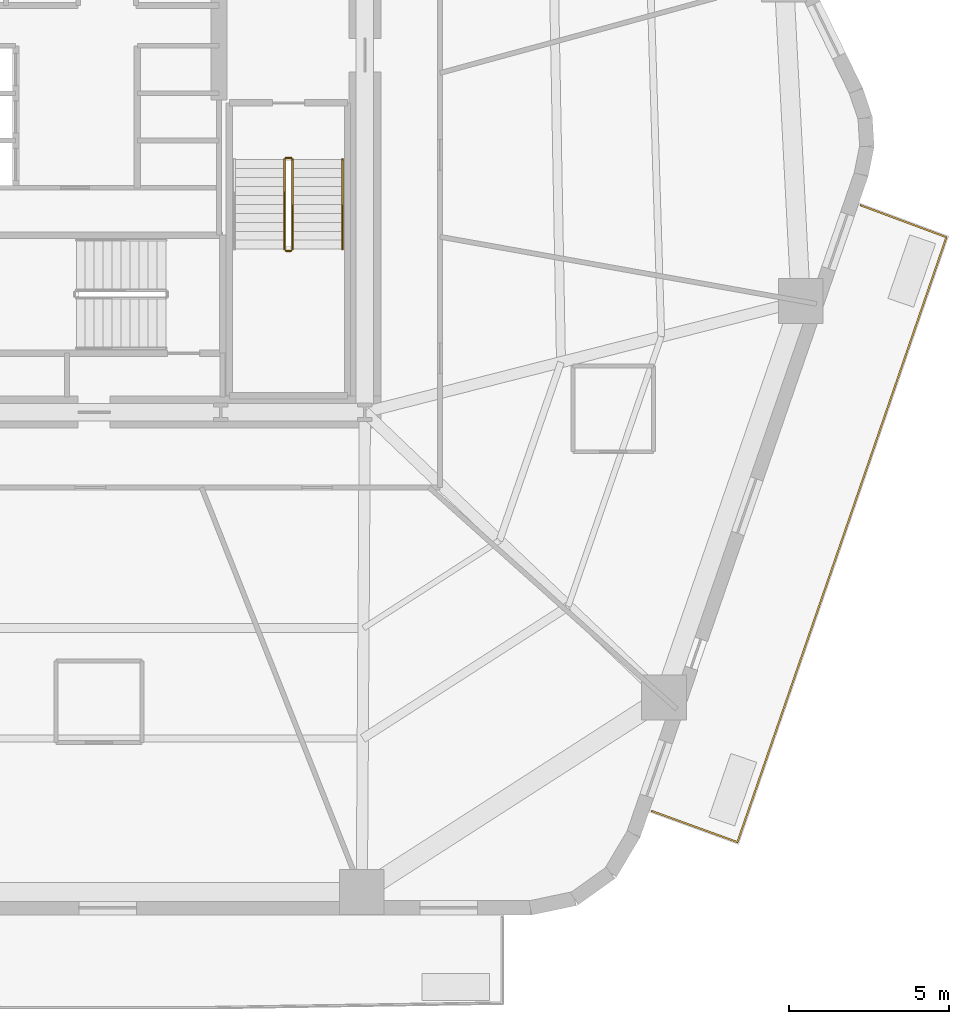
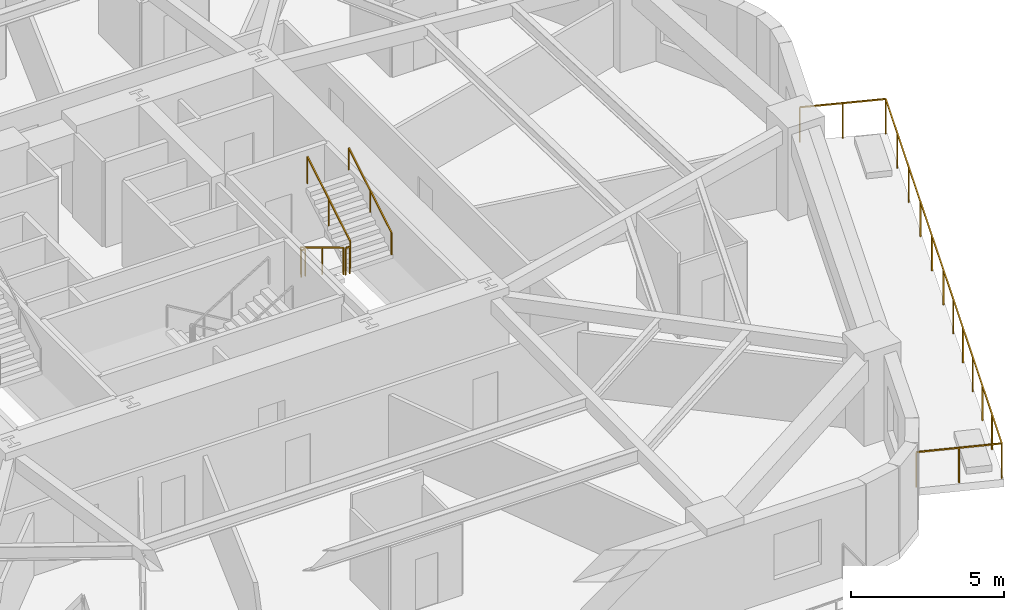
# One storey, part 9 of 10: 6 railings.
"""IFC4 building model written with IfcOpenShell, lengths in metres."""

import ifcopenshell
import ifcopenshell.guid

model = None  # the IFC model being written
_history = None  # IfcOwnerHistory: only IFC2X3 demands one
_inside = {}  # id of a spatial element -> (the spatial element, [elements in it])
_under = {}  # id of a project, library or spatial element -> (it, [spatial elements below it])
_declared = {}  # id of a project -> (the project, [libraries it declares])
_typed = {}  # id of a type object -> (the type object, [elements of that type])
_made_of = {}  # id of a material, layer set ... -> (it, [elements and type objects made of it])


def new_model(schema):
    """Start an empty IFC model of exactly this schema.

    Asked for "IFC4X3", IfcOpenShell would pick the latest addendum, in which some entities
    have other attributes; the version numbers below select the first issue.
    IFC2X3 requires an IfcOwnerHistory on every rooted entity: one is made here for all.
    """
    global model, _history
    if schema == "IFC4X3":
        model = ifcopenshell.file(schema_version=(4, 3, 0, 0))
    else:
        model = ifcopenshell.file(schema=schema)
    _inside.clear()
    _under.clear()
    _declared.clear()
    _typed.clear()
    _made_of.clear()
    _history = None
    if model.schema == "IFC2X3":
        org = make("IfcOrganization", Name="unknown")
        user = make(
            "IfcPersonAndOrganization",
            ThePerson=make("IfcPerson", FamilyName="unknown"),
            TheOrganization=org,
        )
        app = make(
            "IfcApplication",
            ApplicationDeveloper=org,
            Version="unknown",
            ApplicationFullName="unknown",
            ApplicationIdentifier="unknown",
        )
        _history = make(
            "IfcOwnerHistory",
            OwningUser=user,
            OwningApplication=app,
            ChangeAction="ADDED",
            CreationDate=0,
        )
    return model


def make(cls, **values):
    """One entity of the class cls with the attributes given. An attribute that is None is left unset."""
    return model.create_entity(
        cls, **{name: value for name, value in values.items() if value is not None}
    )


def rooted(cls, **values):
    """An entity with a GlobalId (a new one), such as an element, a storey or a relation."""
    return make(cls, GlobalId=ifcopenshell.guid.new(), OwnerHistory=_history, **values)


def si_unit(unit_type, name, prefix=None):
    """IfcSIUnit, for example si_unit("LENGTHUNIT", "METRE", prefix="MILLI")."""
    return make("IfcSIUnit", UnitType=unit_type, Prefix=prefix, Name=name)


def assignment(units):
    """IfcUnitAssignment: the units of a project."""
    return None if units is None else make("IfcUnitAssignment", Units=units)


def point(xyz):
    """IfcCartesianPoint."""
    return None if xyz is None else make("IfcCartesianPoint", Coordinates=xyz)


def direction(xyz):
    """IfcDirection."""
    return None if xyz is None else make("IfcDirection", DirectionRatios=xyz)


def frame(location, z_axis=None, x_axis=None):
    """IfcAxis2Placement3D, a coordinate frame: its origin and axes. An axis left out is left unset."""
    return make(
        "IfcAxis2Placement3D",
        Location=point(location),
        Axis=direction(z_axis),
        RefDirection=direction(x_axis),
    )


def frame_2d(location, x_axis=None):
    """IfcAxis2Placement2D, a coordinate frame in the plane: its origin and x axis."""
    return make(
        "IfcAxis2Placement2D", Location=point(location), RefDirection=direction(x_axis)
    )


def origin():
    """The frame at (0, 0, 0) with its axes left unset."""
    return frame((0.0, 0.0, 0.0))


def origin_2d():
    """The frame at (0, 0) in the plane with its x axis left unset."""
    return frame_2d((0.0, 0.0))


def place(relative_to, where):
    """IfcLocalPlacement: puts the frame where relative to a parent placement (None: the world)."""
    return make(
        "IfcLocalPlacement", PlacementRelTo=relative_to, RelativePlacement=where
    )


def context(
    kind, dimensions, precision=None, world=None, true_north=None, identifier=None
):
    """IfcGeometricRepresentationContext, for example the 3D "Model" context."""
    return make(
        "IfcGeometricRepresentationContext",
        ContextIdentifier=identifier,
        ContextType=kind,
        CoordinateSpaceDimension=dimensions,
        Precision=precision,
        WorldCoordinateSystem=world,
        TrueNorth=true_north,
    )


def subcontext(parent, identifier, kind, view, scale=None):
    """IfcGeometricRepresentationSubContext, for example "Body" below "Model"."""
    return make(
        "IfcGeometricRepresentationSubContext",
        ContextIdentifier=identifier,
        ContextType=kind,
        ParentContext=parent,
        TargetScale=scale,
        TargetView=view,
    )


def project(units=None, contexts=None):
    """IfcProject with its units and contexts."""
    return rooted(
        "IfcProject",
        Name="project",
        RepresentationContexts=contexts,
        UnitsInContext=assignment(units),
    )


def spatial(cls, under=None, at=None, **own):
    """A site, building, storey or space (cls), placed at a placement, below another one or the project."""
    s = rooted(cls, ObjectPlacement=at, **own)
    if under is not None:
        _under.setdefault(under.id(), (under, []))[1].append(s)
    return s


def profile(cls, at=None, kind="AREA", **sizes):
    """A parametric profile (cls). Its sizes go by their IFC names, for example OverallWidth=200.0."""
    return make(cls, ProfileType=kind, Position=at, **sizes)


def rectangle(**sizes):
    """IfcRectangleProfileDef."""
    return profile("IfcRectangleProfileDef", **sizes)


def extrude(swept, where, along, depth):
    """IfcExtrudedAreaSolid: the profile swept, set in the frame where, extruded along a direction by depth."""
    return make(
        "IfcExtrudedAreaSolid",
        SweptArea=swept,
        Position=where,
        ExtrudedDirection=direction(along),
        Depth=depth,
    )


def shape(context_of_items, identifier, shape_type, items):
    """IfcShapeRepresentation: the items that make up one representation, for example the "Body"."""
    return make(
        "IfcShapeRepresentation",
        ContextOfItems=context_of_items,
        RepresentationIdentifier=identifier,
        RepresentationType=shape_type,
        Items=items,
    )


def material(Name=None, Category=None):
    """IfcMaterial."""
    return make("IfcMaterial", Name=Name, Category=Category)


def layer(
    of_material, thickness, ventilated=None, Name=None, Category=None, Priority=None
):
    """IfcMaterialLayer: one layer of a wall or slab, of a material (None: an air gap)."""
    return make(
        "IfcMaterialLayer",
        Material=of_material,
        LayerThickness=thickness,
        IsVentilated=ventilated,
        Name=Name,
        Category=Category,
        Priority=Priority,
    )


def layer_set(layers, Name=None):
    """IfcMaterialLayerSet."""
    return make("IfcMaterialLayerSet", MaterialLayers=layers, LayerSetName=Name)


def made_of(thing, what):
    """Note that an element or type object is made of a material, layer set ...; save() writes the relation."""
    if what is not None:
        _made_of.setdefault(what.id(), (what, []))[1].append(thing)
    return thing


def type_object(cls, material=None, **own):
    """A type object (cls), such as IfcWallType, which elements share."""
    return made_of(rooted(cls, **own), material)


def element(
    cls,
    number,
    at=None,
    inside=None,
    cuts=None,
    type_object=None,
    material=None,
    context=None,
    identifier="Body",
    shape_type=None,
    held_by="IfcProductDefinitionShape",
    body=None,
    shapes=None,
    **own,
):
    """One element of the class cls, such as IfcWall. Its Tag is "e" and its number.

    at: its placement. inside: the storey or other place that contains it. cuts: it is an
    opening in that element (IfcRelVoidsElement). A single representation is given by context,
    identifier, shape_type and body (its items); several are given by shapes. held_by: the class
    of the entity that holds the representations. save() writes the other relations.
    """
    e = rooted(cls, Tag="e%d" % number, ObjectPlacement=at, **own)
    if body is not None:
        shapes = [shape(context, identifier, shape_type, body)]
    if shapes is not None:
        e.Representation = make(held_by, Representations=shapes)
    if inside is not None:
        _inside.setdefault(inside.id(), (inside, []))[1].append(e)
    if cuts is not None:
        rooted(
            "IfcRelVoidsElement", RelatingBuildingElement=cuts, RelatedOpeningElement=e
        )
    if type_object is not None:
        _typed.setdefault(type_object.id(), (type_object, []))[1].append(e)
    return made_of(e, material)


def aggregate(whole, parts):
    """IfcRelAggregates: a whole, such as a stair, and the parts it consists of."""
    return rooted("IfcRelAggregates", RelatingObject=whole, RelatedObjects=parts)


def save(model, path):
    """Write the relations noted so far, then the file.

    IfcRelAggregates (storeys below a building ...), IfcRelContainedInSpatialStructure (elements
    in a storey), IfcRelDefinesByType, IfcRelAssociatesMaterial and IfcRelDeclares: one each for
    every whole, place, type object, material and project.
    """
    for whole, parts in _under.values():
        aggregate(whole, parts)
    for where, things in _inside.values():
        rooted(
            "IfcRelContainedInSpatialStructure",
            RelatedElements=things,
            RelatingStructure=where,
        )
    for kind, things in _typed.values():
        rooted("IfcRelDefinesByType", RelatedObjects=things, RelatingType=kind)
    for what, things in _made_of.values():
        rooted("IfcRelAssociatesMaterial", RelatedObjects=things, RelatingMaterial=what)
    for by, libraries in _declared.values():
        rooted("IfcRelDeclares", RelatingContext=by, RelatedDefinitions=libraries)
    model.write(path)


model = new_model("IFC4")

# Units and contexts
model_context = context("Model", 3, precision=1e-05, world=origin(), true_north=direction((0.0, 1.0)))
body_context = subcontext(model_context, "Body", "Model", "MODEL_VIEW")
ifc_project = project(units=[si_unit("LENGTHUNIT", "METRE"), si_unit("AREAUNIT", "SQUARE_METRE"), si_unit("VOLUMEUNIT", "CUBIC_METRE"), si_unit("PLANEANGLEUNIT", "RADIAN"), si_unit("MASSUNIT", "GRAM", prefix="KILO")], contexts=[model_context])

# Site, building, storey
site_placement = place(None, origin())
site = spatial("IfcSite", under=ifc_project, at=site_placement, CompositionType="ELEMENT")
building_placement = place(site_placement, origin())
building = spatial("IfcBuilding", under=site, at=building_placement, Name="Kilnhurst Terrace Hotel", CompositionType="ELEMENT")
storey_placement = place(building_placement, frame((0.0, 0.0, 67.5)))
storey = spatial("IfcBuildingStorey", under=building, at=storey_placement, Name="L15", CompositionType="ELEMENT", Elevation=67.5)

# Railings
ifc_material_1 = material(Name="Laminated SentryGlas and Stainless Steel AISI 316L Balustrade", Category="steel")
ifc_layer_1 = layer(ifc_material_1, 0.070068359375, Name="Laminated SentryGlas and Stainless Steel AISI 316L Balustrade")
ifc_layer_set_1 = layer_set([ifc_layer_1], Name="Laminated SentryGlas and Stainless Steel AISI 316L Balustrade")
railing_type_1 = type_object("IfcRailingType", Name="RLG-BAL-1420", PredefinedType="BALUSTRADE", material=ifc_layer_set_1)
railing_1_placement = place(storey_placement, frame((24.485107421875, -1.041748046875, 0.0)))
element("IfcRailing", 1, at=railing_1_placement, inside=storey, type_object=railing_type_1, Name="L15 Exterior Terrace Guardrail BAL-L1B.1", PredefinedType="BALUSTRADE", context=body_context, shape_type="SweptSolid", body=[
    extrude(rectangle(XDim=0.048095703125, YDim=0.048095703125, at=origin_2d()), frame((0.0, 0.0, 1.39599609375), z_axis=(0.937279097592, -0.348579823308, 0.0), x_axis=(0.348579823308, 0.937279097592, 0.0)), (0.0, 0.0, 1.0), 2.85205078125),
    extrude(rectangle(XDim=0.048095703125, YDim=0.048095703125, at=origin_2d()), frame((2.673095703125, -0.994140625, 1.39599609375), z_axis=(-0.326159116329, -0.945314884488, 0.0), x_axis=(0.945314884488, -0.326159116329, 0.0)), (0.0, 0.0, 1.0), 9.91650390625),
    extrude(rectangle(XDim=0.048095703125, YDim=0.048095703125, at=origin_2d()), frame((-0.561279296875, -10.368408203125, 1.39599609375), z_axis=(-0.326903959129, -0.945057565181, 0.0), x_axis=(0.945057565181, -0.326903959129, 0.0)), (0.0, 0.0, 1.0), 10.065673828125),
    extrude(rectangle(XDim=0.048095703125, YDim=0.048095703125, at=origin_2d()), frame((-3.851806640625, -19.881103515625, 1.39599609375), z_axis=(-0.939926315563, 0.341377388402, 0.0), x_axis=(-0.341377388402, -0.939926315563, 0.0)), (0.0, 0.0, 1.0), 2.84130859375),
    extrude(rectangle(XDim=0.0419921875, YDim=0.0419921875, at=origin_2d()), origin(), (0.0, 0.0, 1.0), 1.371826171875),
    extrude(rectangle(XDim=0.0419921875, YDim=0.0419921875, at=origin_2d()), frame((1.33642578125, -0.4970703125, 0.0)), (0.0, 0.0, 1.0), 1.371826171875),
    extrude(rectangle(XDim=0.0419921875, YDim=0.0419921875, at=origin_2d()), frame((2.673095703125, -0.994140625, 0.0)), (0.0, 0.0, 1.0), 1.371826171875),
    extrude(rectangle(XDim=0.0419921875, YDim=0.0419921875, at=origin_2d()), frame((2.026123046875, -2.868896484375, 0.0)), (0.0, 0.0, 1.0), 1.371826171875),
    extrude(rectangle(XDim=0.0419921875, YDim=0.0419921875, at=origin_2d()), frame((1.37939453125, -4.743896484375, 0.0)), (0.0, 0.0, 1.0), 1.371826171875),
    extrude(rectangle(XDim=0.0419921875, YDim=0.0419921875, at=origin_2d()), frame((0.732421875, -6.61865234375, 0.0)), (0.0, 0.0, 1.0), 1.371826171875),
    extrude(rectangle(XDim=0.0419921875, YDim=0.0419921875, at=origin_2d()), frame((0.085693359375, -8.49365234375, 0.0)), (0.0, 0.0, 1.0), 1.371826171875),
    extrude(rectangle(XDim=0.0419921875, YDim=0.0419921875, at=origin_2d()), frame((-0.561279296875, -10.368408203125, 0.0)), (0.0, 0.0, 1.0), 1.371826171875),
    extrude(rectangle(XDim=0.0419921875, YDim=0.0419921875, at=origin_2d()), frame((-1.109619140625, -11.953857421875, 0.0)), (0.0, 0.0, 1.0), 1.371826171875),
    extrude(rectangle(XDim=0.0419921875, YDim=0.0419921875, at=origin_2d()), frame((-1.658203125, -13.539306640625, 0.0)), (0.0, 0.0, 1.0), 1.371826171875),
    extrude(rectangle(XDim=0.0419921875, YDim=0.0419921875, at=origin_2d()), frame((-2.20654296875, -15.124755859375, 0.0)), (0.0, 0.0, 1.0), 1.371826171875),
    extrude(rectangle(XDim=0.0419921875, YDim=0.0419921875, at=origin_2d()), frame((-2.7548828125, -16.710205078125, 0.0)), (0.0, 0.0, 1.0), 1.371826171875),
    extrude(rectangle(XDim=0.0419921875, YDim=0.0419921875, at=origin_2d()), frame((-3.303466796875, -18.295654296875, 0.0)), (0.0, 0.0, 1.0), 1.371826171875),
    extrude(rectangle(XDim=0.0419921875, YDim=0.0419921875, at=origin_2d()), frame((-3.851806640625, -19.881103515625, 0.0)), (0.0, 0.0, 1.0), 1.371826171875),
    extrude(rectangle(XDim=0.0419921875, YDim=0.0419921875, at=origin_2d()), frame((-5.18701171875, -19.39599609375, 0.0)), (0.0, 0.0, 1.0), 1.371826171875),
    extrude(rectangle(XDim=0.0419921875, YDim=0.0419921875, at=origin_2d()), frame((-6.5224609375, -18.9111328125, 0.0)), (0.0, 0.0, 1.0), 1.371826171875),
])
ifc_material_2 = material(Name="Powder-Coated Steel ASTM A500 Grade B", Category="steel")
ifc_layer_2 = layer(ifc_material_2, 0.050048828125, Name="Powder-Coated Steel ASTM A500 Grade B")
ifc_layer_set_2 = layer_set([ifc_layer_2], Name="Powder-Coated Steel ASTM A500 Grade B")
railing_type_2 = type_object("IfcRailingType", Name="RLG-ST-GRD-1100", PredefinedType="GUARDRAIL", material=ifc_layer_set_2)
railing_2_placement = place(storey_placement, frame((6.489990234375, 0.389892578125, 0.168212890625)))
element("IfcRailing", 2, at=railing_2_placement, inside=storey, type_object=railing_type_2, Name="L15 ST-2 stair guard 1", PredefinedType="GUARDRAIL", context=body_context, shape_type="SweptSolid", body=[
    extrude(rectangle(XDim=0.048095703125, YDim=0.048095703125, at=origin_2d()), frame((0.0, 0.0, 1.076171875), z_axis=(0.0, -0.857222391501, 0.514946377315), x_axis=(1.0, 0.0, 0.0)), (0.0, 0.0, 1.0), 3.26611328125),
    extrude(rectangle(XDim=0.0419921875, YDim=0.0419921875, at=origin_2d()), origin(), (0.0, 0.0, 1.0), 1.052001953125),
    extrude(rectangle(XDim=0.0419921875, YDim=0.0419921875, at=origin_2d()), frame((0.0, -1.39990234375, 0.8408203125)), (0.0, 0.0, 1.0), 1.052001953125),
    extrude(rectangle(XDim=0.0419921875, YDim=0.0419921875, at=origin_2d()), frame((0.0, -2.7998046875, 1.681884765625)), (0.0, 0.0, 1.0), 1.052001953125),
])
railing_3_placement = place(storey_placement, frame((6.5400390625, -2.4599609375, 1.85009765625)))
element("IfcRailing", 3, at=railing_3_placement, inside=storey, type_object=railing_type_2, Name="L15 ST-2 stair guard 2", PredefinedType="GUARDRAIL", context=body_context, shape_type="SweptSolid", body=[
    extrude(rectangle(XDim=0.048095703125, YDim=0.048095703125, at=origin_2d()), frame((0.0, 0.0, 1.076171875), z_axis=(1.0, 0.0, 0.0), x_axis=(0.0, 1.0, 0.0)), (0.0, 0.0, 1.0), 0.14990234375),
    extrude(rectangle(XDim=0.0419921875, YDim=0.0419921875, at=origin_2d()), origin(), (0.0, 0.0, 1.0), 1.052001953125),
    extrude(rectangle(XDim=0.0419921875, YDim=0.0419921875, at=origin_2d()), frame((0.14990234375, 0.0, 0.0)), (0.0, 0.0, 1.0), 1.052001953125),
])
railing_4_placement = place(storey_placement, frame((6.739990234375, -2.409912109375, 2.01806640625)))
element("IfcRailing", 4, at=railing_4_placement, inside=storey, type_object=railing_type_2, Name="L15 ST-2 stair guard 3", PredefinedType="GUARDRAIL", context=body_context, shape_type="SweptSolid", body=[
    extrude(rectangle(XDim=0.048095703125, YDim=0.048095703125, at=origin_2d()), frame((0.0, 0.0, 1.076171875), z_axis=(0.0, 0.857222391501, 0.514946377315), x_axis=(-1.0, 0.0, 0.0)), (0.0, 0.0, 1.0), 3.26611328125),
    extrude(rectangle(XDim=0.0419921875, YDim=0.0419921875, at=origin_2d()), origin(), (0.0, 0.0, 1.0), 1.052001953125),
    extrude(rectangle(XDim=0.0419921875, YDim=0.0419921875, at=origin_2d()), frame((0.0, 1.39990234375, 0.8408203125)), (0.0, 0.0, 1.0), 1.052001953125),
    extrude(rectangle(XDim=0.0419921875, YDim=0.0419921875, at=origin_2d()), frame((0.0, 2.7998046875, 1.681884765625)), (0.0, 0.0, 1.0), 1.052001953125),
])
railing_5_placement = place(storey_placement, frame((6.5400390625, 0.43994140625, 0.0)))
element("IfcRailing", 5, at=railing_5_placement, inside=storey, type_object=railing_type_2, Name="L15 ST-2 stair guard 4", PredefinedType="GUARDRAIL", context=body_context, shape_type="SweptSolid", body=[
    extrude(rectangle(XDim=0.048095703125, YDim=0.048095703125, at=origin_2d()), frame((0.0, 0.0, 1.076171875), z_axis=(1.0, 0.0, 0.0), x_axis=(0.0, 1.0, 0.0)), (0.0, 0.0, 1.0), 0.14990234375),
    extrude(rectangle(XDim=0.0419921875, YDim=0.0419921875, at=origin_2d()), origin(), (0.0, 0.0, 1.0), 1.052001953125),
    extrude(rectangle(XDim=0.0419921875, YDim=0.0419921875, at=origin_2d()), frame((0.14990234375, 0.0, 0.0)), (0.0, 0.0, 1.0), 1.052001953125),
])
ifc_material_3 = material(Name="Brushed Stainless Steel AISI 304", Category="steel")
ifc_layer_3 = layer(ifc_material_3, 0.048095703125, Name="Brushed Stainless Steel AISI 304")
ifc_layer_set_3 = layer_set([ifc_layer_3], Name="Brushed Stainless Steel AISI 304")
railing_type_3 = type_object("IfcRailingType", Name="RLG-ST-HRL-900", PredefinedType="HANDRAIL", material=ifc_layer_set_3)
railing_6_placement = place(storey_placement, frame((8.300048828125, -2.409912109375, 2.01806640625)))
element("IfcRailing", 6, at=railing_6_placement, inside=storey, type_object=railing_type_3, Name="L15 ST-2 stair handrail 2", PredefinedType="HANDRAIL", context=body_context, shape_type="SweptSolid", body=[
    extrude(rectangle(XDim=0.048095703125, YDim=0.048095703125, at=origin_2d()), frame((0.0, 0.0, 0.8759765625), z_axis=(0.0, 0.857222391501, 0.514946377315), x_axis=(-1.0, 0.0, 0.0)), (0.0, 0.0, 1.0), 3.26611328125),
    extrude(rectangle(XDim=0.0419921875, YDim=0.0419921875, at=origin_2d()), origin(), (0.0, 0.0, 1.0), 0.851806640625),
    extrude(rectangle(XDim=0.0419921875, YDim=0.0419921875, at=origin_2d()), frame((0.0, 1.39990234375, 0.8408203125)), (0.0, 0.0, 1.0), 0.851806640625),
    extrude(rectangle(XDim=0.0419921875, YDim=0.0419921875, at=origin_2d()), frame((0.0, 2.7998046875, 1.681884765625)), (0.0, 0.0, 1.0), 0.851806640625),
])

save(model, "model.ifc")
